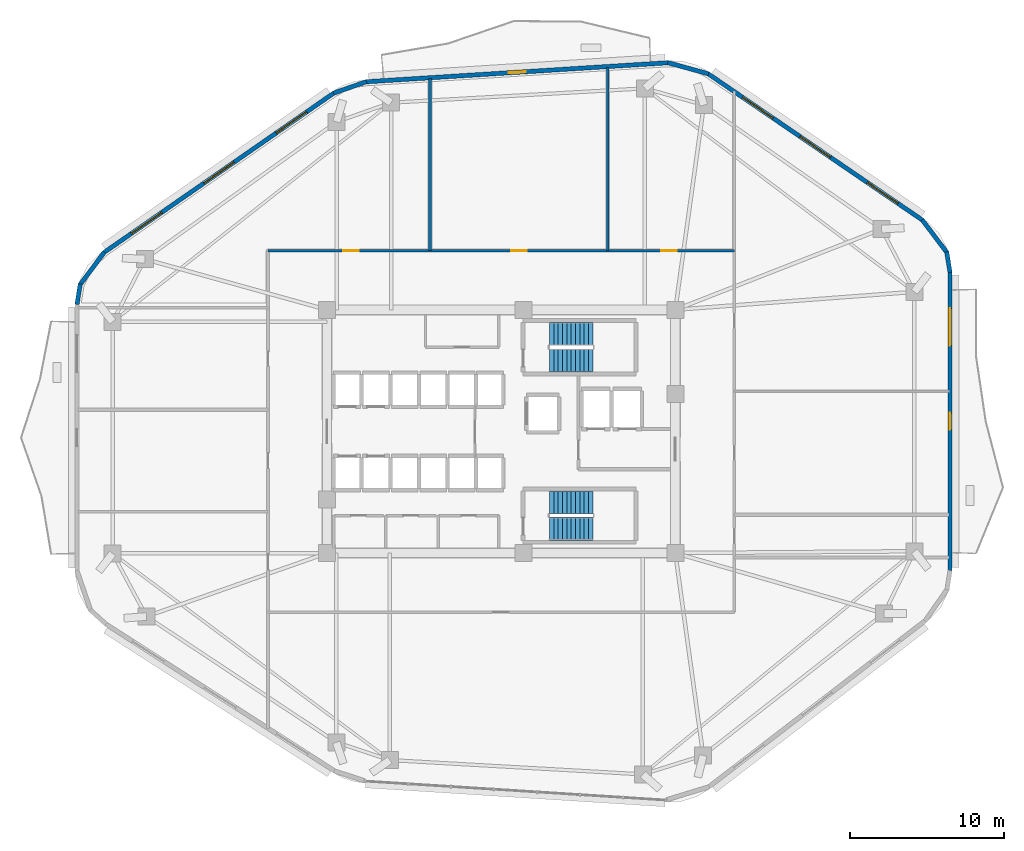
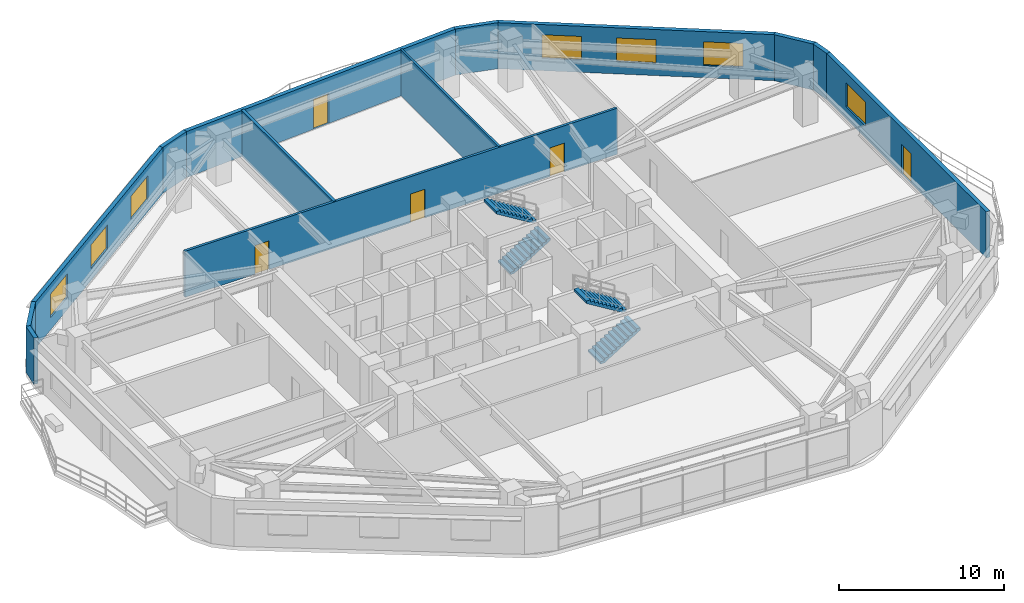
# One storey, part 9 of 12: 13 walls, 7 windows, 5 doors, 4 stair flights, 12 openings, 2 elements without a shape of their own.
"""IFC4 building model written with IfcOpenShell, lengths in metres."""

import ifcopenshell
import ifcopenshell.guid

model = None  # the IFC model being written
_history = None  # IfcOwnerHistory: only IFC2X3 demands one
_inside = {}  # id of a spatial element -> (the spatial element, [elements in it])
_under = {}  # id of a project, library or spatial element -> (it, [spatial elements below it])
_declared = {}  # id of a project -> (the project, [libraries it declares])
_typed = {}  # id of a type object -> (the type object, [elements of that type])
_made_of = {}  # id of a material, layer set ... -> (it, [elements and type objects made of it])


def new_model(schema):
    """Start an empty IFC model of exactly this schema.

    Asked for "IFC4X3", IfcOpenShell would pick the latest addendum, in which some entities
    have other attributes; the version numbers below select the first issue.
    IFC2X3 requires an IfcOwnerHistory on every rooted entity: one is made here for all.
    """
    global model, _history
    if schema == "IFC4X3":
        model = ifcopenshell.file(schema_version=(4, 3, 0, 0))
    else:
        model = ifcopenshell.file(schema=schema)
    _inside.clear()
    _under.clear()
    _declared.clear()
    _typed.clear()
    _made_of.clear()
    _history = None
    if model.schema == "IFC2X3":
        org = make("IfcOrganization", Name="unknown")
        user = make(
            "IfcPersonAndOrganization",
            ThePerson=make("IfcPerson", FamilyName="unknown"),
            TheOrganization=org,
        )
        app = make(
            "IfcApplication",
            ApplicationDeveloper=org,
            Version="unknown",
            ApplicationFullName="unknown",
            ApplicationIdentifier="unknown",
        )
        _history = make(
            "IfcOwnerHistory",
            OwningUser=user,
            OwningApplication=app,
            ChangeAction="ADDED",
            CreationDate=0,
        )
    return model


def make(cls, **values):
    """One entity of the class cls with the attributes given. An attribute that is None is left unset."""
    return model.create_entity(
        cls, **{name: value for name, value in values.items() if value is not None}
    )


def rooted(cls, **values):
    """An entity with a GlobalId (a new one), such as an element, a storey or a relation."""
    return make(cls, GlobalId=ifcopenshell.guid.new(), OwnerHistory=_history, **values)


def si_unit(unit_type, name, prefix=None):
    """IfcSIUnit, for example si_unit("LENGTHUNIT", "METRE", prefix="MILLI")."""
    return make("IfcSIUnit", UnitType=unit_type, Prefix=prefix, Name=name)


def assignment(units):
    """IfcUnitAssignment: the units of a project."""
    return None if units is None else make("IfcUnitAssignment", Units=units)


def point(xyz):
    """IfcCartesianPoint."""
    return None if xyz is None else make("IfcCartesianPoint", Coordinates=xyz)


def direction(xyz):
    """IfcDirection."""
    return None if xyz is None else make("IfcDirection", DirectionRatios=xyz)


def frame(location, z_axis=None, x_axis=None):
    """IfcAxis2Placement3D, a coordinate frame: its origin and axes. An axis left out is left unset."""
    return make(
        "IfcAxis2Placement3D",
        Location=point(location),
        Axis=direction(z_axis),
        RefDirection=direction(x_axis),
    )


def frame_2d(location, x_axis=None):
    """IfcAxis2Placement2D, a coordinate frame in the plane: its origin and x axis."""
    return make(
        "IfcAxis2Placement2D", Location=point(location), RefDirection=direction(x_axis)
    )


def origin():
    """The frame at (0, 0, 0) with its axes left unset."""
    return frame((0.0, 0.0, 0.0))


def place(relative_to, where):
    """IfcLocalPlacement: puts the frame where relative to a parent placement (None: the world)."""
    return make(
        "IfcLocalPlacement", PlacementRelTo=relative_to, RelativePlacement=where
    )


def context(
    kind, dimensions, precision=None, world=None, true_north=None, identifier=None
):
    """IfcGeometricRepresentationContext, for example the 3D "Model" context."""
    return make(
        "IfcGeometricRepresentationContext",
        ContextIdentifier=identifier,
        ContextType=kind,
        CoordinateSpaceDimension=dimensions,
        Precision=precision,
        WorldCoordinateSystem=world,
        TrueNorth=true_north,
    )


def subcontext(parent, identifier, kind, view, scale=None):
    """IfcGeometricRepresentationSubContext, for example "Body" below "Model"."""
    return make(
        "IfcGeometricRepresentationSubContext",
        ContextIdentifier=identifier,
        ContextType=kind,
        ParentContext=parent,
        TargetScale=scale,
        TargetView=view,
    )


def project(units=None, contexts=None):
    """IfcProject with its units and contexts."""
    return rooted(
        "IfcProject",
        Name="project",
        RepresentationContexts=contexts,
        UnitsInContext=assignment(units),
    )


def spatial(cls, under=None, at=None, **own):
    """A site, building, storey or space (cls), placed at a placement, below another one or the project."""
    s = rooted(cls, ObjectPlacement=at, **own)
    if under is not None:
        _under.setdefault(under.id(), (under, []))[1].append(s)
    return s


def polyline(points):
    """IfcPolyline through the points."""
    return make("IfcPolyline", Points=[point(p) for p in points])


def profile(cls, at=None, kind="AREA", **sizes):
    """A parametric profile (cls). Its sizes go by their IFC names, for example OverallWidth=200.0."""
    return make(cls, ProfileType=kind, Position=at, **sizes)


def rectangle(**sizes):
    """IfcRectangleProfileDef."""
    return profile("IfcRectangleProfileDef", **sizes)


def outline(outer, holes=None, kind="AREA"):
    """IfcArbitraryClosedProfileDef: a profile drawn as a closed curve; with holes, ...WithVoids."""
    if holes is None:
        return make("IfcArbitraryClosedProfileDef", ProfileType=kind, OuterCurve=outer)
    return make(
        "IfcArbitraryProfileDefWithVoids",
        ProfileType=kind,
        OuterCurve=outer,
        InnerCurves=holes,
    )


def extrude(swept, where, along, depth):
    """IfcExtrudedAreaSolid: the profile swept, set in the frame where, extruded along a direction by depth."""
    return make(
        "IfcExtrudedAreaSolid",
        SweptArea=swept,
        Position=where,
        ExtrudedDirection=direction(along),
        Depth=depth,
    )


def shape(context_of_items, identifier, shape_type, items):
    """IfcShapeRepresentation: the items that make up one representation, for example the "Body"."""
    return make(
        "IfcShapeRepresentation",
        ContextOfItems=context_of_items,
        RepresentationIdentifier=identifier,
        RepresentationType=shape_type,
        Items=items,
    )


def material(Name=None, Category=None):
    """IfcMaterial."""
    return make("IfcMaterial", Name=Name, Category=Category)


def layer(
    of_material, thickness, ventilated=None, Name=None, Category=None, Priority=None
):
    """IfcMaterialLayer: one layer of a wall or slab, of a material (None: an air gap)."""
    return make(
        "IfcMaterialLayer",
        Material=of_material,
        LayerThickness=thickness,
        IsVentilated=ventilated,
        Name=Name,
        Category=Category,
        Priority=Priority,
    )


def layer_set(layers, Name=None):
    """IfcMaterialLayerSet."""
    return make("IfcMaterialLayerSet", MaterialLayers=layers, LayerSetName=Name)


def made_of(thing, what):
    """Note that an element or type object is made of a material, layer set ...; save() writes the relation."""
    if what is not None:
        _made_of.setdefault(what.id(), (what, []))[1].append(thing)
    return thing


def type_object(cls, material=None, **own):
    """A type object (cls), such as IfcWallType, which elements share."""
    return made_of(rooted(cls, **own), material)


def element(
    cls,
    number,
    at=None,
    inside=None,
    cuts=None,
    type_object=None,
    material=None,
    context=None,
    identifier="Body",
    shape_type=None,
    held_by="IfcProductDefinitionShape",
    body=None,
    shapes=None,
    **own,
):
    """One element of the class cls, such as IfcWall. Its Tag is "e" and its number.

    at: its placement. inside: the storey or other place that contains it. cuts: it is an
    opening in that element (IfcRelVoidsElement). A single representation is given by context,
    identifier, shape_type and body (its items); several are given by shapes. held_by: the class
    of the entity that holds the representations. save() writes the other relations.
    """
    e = rooted(cls, Tag="e%d" % number, ObjectPlacement=at, **own)
    if body is not None:
        shapes = [shape(context, identifier, shape_type, body)]
    if shapes is not None:
        e.Representation = make(held_by, Representations=shapes)
    if inside is not None:
        _inside.setdefault(inside.id(), (inside, []))[1].append(e)
    if cuts is not None:
        rooted(
            "IfcRelVoidsElement", RelatingBuildingElement=cuts, RelatedOpeningElement=e
        )
    if type_object is not None:
        _typed.setdefault(type_object.id(), (type_object, []))[1].append(e)
    return made_of(e, material)


def fill(opening, filler):
    """IfcRelFillsElement: the door or window that sits in an opening."""
    return rooted(
        "IfcRelFillsElement",
        RelatingOpeningElement=opening,
        RelatedBuildingElement=filler,
    )


def aggregate(whole, parts):
    """IfcRelAggregates: a whole, such as a stair, and the parts it consists of."""
    return rooted("IfcRelAggregates", RelatingObject=whole, RelatedObjects=parts)


def save(model, path):
    """Write the relations noted so far, then the file.

    IfcRelAggregates (storeys below a building ...), IfcRelContainedInSpatialStructure (elements
    in a storey), IfcRelDefinesByType, IfcRelAssociatesMaterial and IfcRelDeclares: one each for
    every whole, place, type object, material and project.
    """
    for whole, parts in _under.values():
        aggregate(whole, parts)
    for where, things in _inside.values():
        rooted(
            "IfcRelContainedInSpatialStructure",
            RelatedElements=things,
            RelatingStructure=where,
        )
    for kind, things in _typed.values():
        rooted("IfcRelDefinesByType", RelatedObjects=things, RelatingType=kind)
    for what, things in _made_of.values():
        rooted("IfcRelAssociatesMaterial", RelatedObjects=things, RelatingMaterial=what)
    for by, libraries in _declared.values():
        rooted("IfcRelDeclares", RelatingContext=by, RelatedDefinitions=libraries)
    model.write(path)


model = new_model("IFC4")

# Units and contexts
model_context = context("Model", 3, precision=1e-05, world=origin(), true_north=direction((0.0, 1.0)))
body_context = subcontext(model_context, "Body", "Model", "MODEL_VIEW")
ifc_project = project(units=[si_unit("LENGTHUNIT", "METRE"), si_unit("AREAUNIT", "SQUARE_METRE"), si_unit("VOLUMEUNIT", "CUBIC_METRE"), si_unit("PLANEANGLEUNIT", "RADIAN"), si_unit("MASSUNIT", "GRAM", prefix="KILO")], contexts=[model_context])

# Site, building, storey
site_placement = place(None, origin())
site = spatial("IfcSite", under=ifc_project, at=site_placement, CompositionType="ELEMENT")
building_placement = place(site_placement, origin())
building = spatial("IfcBuilding", under=site, at=building_placement, Name="Zulverin Broadcast Headquarters", CompositionType="ELEMENT")
storey_placement = place(building_placement, frame((0.0, 0.0, 116.199951171875)))
storey = spatial("IfcBuildingStorey", under=building, at=storey_placement, Name="L29", CompositionType="ELEMENT", Elevation=116.199951171875)

# Wall
ifc_material_1 = material(Name="Acoustic drywall steel stud", Category="steel")
ifc_layer_1 = layer(ifc_material_1, 0.199951171875, Name="Acoustic drywall steel stud", Category="steel")
ifc_layer_set_1 = layer_set([ifc_layer_1], Name="Acoustic drywall steel stud")
wall_type_1 = type_object("IfcWallType", Name="WL-ACOU-200", PredefinedType="PARTITIONING", material=ifc_layer_set_1)
wall_1_placement = place(storey_placement, frame((32.39990234375, 36.90087890625, 0.0), z_axis=(0.0, 0.0, 1.0), x_axis=(0.0, 1.0, 0.0)))
element("IfcWall", 1, at=wall_1_placement, inside=storey, type_object=wall_type_1, Name="L29 Room Partition Wall RP-03", PredefinedType="PARTITIONING", context=body_context, shape_type="SweptSolid", body=[
    extrude(rectangle(XDim=11.130615234375, YDim=0.199951171875, at=frame_2d((5.5654296875, 0.0))), origin(), (0.0, 0.0, 1.0), 3.400146484375),
])

# Wall, openings, door, window
ifc_material_2 = material(Name="Insulated pale-metal clad concrete spandrel C40/50", Category="concrete")
ifc_layer_2 = layer(ifc_material_2, 0.280029296875, Name="Insulated pale-metal clad concrete spandrel C40/50", Category="concrete")
ifc_layer_set_2 = layer_set([ifc_layer_2], Name="Insulated pale-metal clad concrete spandrel C40/50")
wall_type_2 = type_object("IfcWallType", Name="WL-EXT-280", PredefinedType="STANDARD", material=ifc_layer_set_2)
wall_2_placement = place(storey_placement, frame((66.06005859375, 16.183349609375, 0.0), z_axis=(0.0, 0.0, 1.0), x_axis=(0.0, 1.0, 0.0)))
wall_2 = element("IfcWall", 2, at=wall_2_placement, inside=storey, type_object=wall_type_2, Name="L29 Pale-Metal Clad Spandrel Wall 3", PredefinedType="STANDARD", context=body_context, shape_type="SweptSolid", body=[
    extrude(rectangle(XDim=19.3310546875, YDim=0.280029296875, at=frame_2d((9.66552734375, 0.0))), origin(), (0.0, 0.0, 1.0), 3.400146484375),
])
opening_1_placement = place(wall_2_placement, frame((9.115478515625, 0.0, 0.0)))
opening_1 = element("IfcOpeningElement", 3, at=opening_1_placement, cuts=wall_2, Name="Opening D-L29-TR3", PredefinedType="OPENING", context=body_context, shape_type="SweptSolid", body=[
    extrude(rectangle(XDim=1.10009765625, YDim=2.199951171875, at=frame_2d((0.550048828125, 1.10009765625))), frame((0.0, 0.14990234375, 0.0), z_axis=(0.0, -1.0, 0.0), x_axis=(1.0, 0.0, 0.0)), (0.0, 0.0, 1.0), 0.300048828125),
])
opening_2_placement = place(wall_2_placement, frame((14.575927734375, 0.0, 0.89990234375)))
opening_2 = element("IfcOpeningElement", 4, at=opening_2_placement, cuts=wall_2, Name="Opening W-L29-E31", PredefinedType="OPENING", context=body_context, shape_type="SweptSolid", body=[
    extrude(rectangle(XDim=2.39990234375, YDim=1.75, at=frame_2d((1.199951171875, 0.875))), frame((0.0, 0.14990234375, 0.0), z_axis=(0.0, -1.0, 0.0), x_axis=(1.0, 0.0, 0.0)), (0.0, 0.0, 1.0), 0.300048828125),
])
ifc_material_3 = material(Name="Thermally broken aluminium glazed", Category="aluminium")
door_type_1 = type_object("IfcDoorType", Name="DR-TERR-1100", OperationType="SINGLE_SWING_RIGHT", PredefinedType="DOOR", material=ifc_material_3)
door_1_placement = place(opening_1_placement, origin())
door_1 = element("IfcDoor", 5, at=door_1_placement, inside=storey, type_object=door_type_1, Name="L29 Planted Terrace Glazed Access Door 3", OperationType="SINGLE_SWING_RIGHT", OverallHeight=2.199951171875, OverallWidth=1.10009765625, PredefinedType="DOOR", context=body_context, shape_type="SweptSolid", body=[
    extrude(rectangle(XDim=1.10009765625, YDim=2.199951171875, at=frame_2d((0.550048828125, 1.10009765625))), frame((0.0, 0.02490234375, 0.0), z_axis=(0.0, -1.0, 0.0), x_axis=(1.0, 0.0, 0.0)), (0.0, 0.0, 1.0), 0.050048828125),
])
fill(opening_1, door_1)
ifc_material_4 = material(Name="Pale anodized aluminium frame with solar-control low-E double glazing", Category="aluminium")
window_type = type_object("IfcWindowType", Name="WIN-RIB-2400", PartitioningType="SINGLE_PANEL", PredefinedType="WINDOW", material=ifc_material_4)
window_1_placement = place(opening_2_placement, origin())
window_1 = element("IfcWindow", 6, at=window_1_placement, inside=storey, type_object=window_type, Name="L29 Ribbon Glazing Window 3 1", OverallHeight=1.75, OverallWidth=2.39990234375, PartitioningType="SINGLE_PANEL", PredefinedType="WINDOW", context=body_context, shape_type="SweptSolid", body=[
    extrude(rectangle(XDim=2.39990234375, YDim=1.75, at=frame_2d((1.199951171875, 0.875))), frame((0.0, 0.030029296875, 0.0), z_axis=(0.0, -1.0, 0.0), x_axis=(1.0, 0.0, 0.0)), (0.0, 0.0, 1.0), 0.06005859375),
])
fill(opening_2, window_1)

# Wall, openings, windows
wall_3_placement = place(storey_placement, frame((64.289794921875, 38.8671875, 0.0), z_axis=(0.0, 0.0, 1.0), x_axis=(-0.825755550159, 0.564028165416, 0.0)))
wall_3 = element("IfcWall", 7, at=wall_3_placement, inside=storey, type_object=wall_type_2, Name="L29 Pale-Metal Clad Spandrel Wall 4", PredefinedType="STANDARD", context=body_context, shape_type="SweptSolid", body=[
    extrude(rectangle(XDim=16.848388671875, YDim=0.280029296875, at=frame_2d((8.42431640625, 0.0))), origin(), (0.0, 0.0, 1.0), 3.400146484375),
])
opening_3_placement = place(wall_3_placement, frame((1.94140625, 0.0, 0.89990234375)))
opening_3 = element("IfcOpeningElement", 8, at=opening_3_placement, cuts=wall_3, Name="Opening W-L29-E41", PredefinedType="OPENING", context=body_context, shape_type="SweptSolid", body=[
    extrude(rectangle(XDim=2.39990234375, YDim=1.75, at=frame_2d((1.199951171875, 0.875))), frame((0.0, 0.14990234375, 0.0), z_axis=(0.0, -1.0, 0.0), x_axis=(1.0, 0.0, 0.0)), (0.0, 0.0, 1.0), 0.300048828125),
])
opening_4_placement = place(wall_3_placement, frame((7.22412109375, 0.0, 0.89990234375)))
opening_4 = element("IfcOpeningElement", 9, at=opening_4_placement, cuts=wall_3, Name="Opening W-L29-E42", PredefinedType="OPENING", context=body_context, shape_type="SweptSolid", body=[
    extrude(rectangle(XDim=2.39990234375, YDim=1.75, at=frame_2d((1.199951171875, 0.875))), frame((0.0, 0.14990234375, 0.0), z_axis=(0.0, -1.0, 0.0), x_axis=(1.0, 0.0, 0.0)), (0.0, 0.0, 1.0), 0.300048828125),
])
opening_5_placement = place(wall_3_placement, frame((11.726806640625, 0.0, 0.89990234375)))
opening_5 = element("IfcOpeningElement", 10, at=opening_5_placement, cuts=wall_3, Name="Opening W-L29-E43", PredefinedType="OPENING", context=body_context, shape_type="SweptSolid", body=[
    extrude(rectangle(XDim=2.39990234375, YDim=1.75, at=frame_2d((1.199951171875, 0.875))), frame((0.0, 0.14990234375, 0.0), z_axis=(0.0, -1.0, 0.0), x_axis=(1.0, 0.0, 0.0)), (0.0, 0.0, 1.0), 0.300048828125),
])
window_2_placement = place(opening_3_placement, origin())
window_2 = element("IfcWindow", 11, at=window_2_placement, inside=storey, type_object=window_type, Name="L29 Ribbon Glazing Window 4 1", OverallHeight=1.75, OverallWidth=2.39990234375, PartitioningType="SINGLE_PANEL", PredefinedType="WINDOW", context=body_context, shape_type="SweptSolid", body=[
    extrude(rectangle(XDim=2.39990234375, YDim=1.75, at=frame_2d((1.199951171875, 0.875))), frame((0.0, 0.030029296875, 0.0), z_axis=(0.0, -1.0, 0.0), x_axis=(1.0, 0.0, 0.0)), (0.0, 0.0, 1.0), 0.06005859375),
])
fill(opening_3, window_2)
window_3_placement = place(opening_4_placement, origin())
window_3 = element("IfcWindow", 12, at=window_3_placement, inside=storey, type_object=window_type, Name="L29 Ribbon Glazing Window 4 2", OverallHeight=1.75, OverallWidth=2.39990234375, PartitioningType="SINGLE_PANEL", PredefinedType="WINDOW", context=body_context, shape_type="SweptSolid", body=[
    extrude(rectangle(XDim=2.39990234375, YDim=1.75, at=frame_2d((1.199951171875, 0.875))), frame((0.0, 0.030029296875, 0.0), z_axis=(0.0, -1.0, 0.0), x_axis=(1.0, 0.0, 0.0)), (0.0, 0.0, 1.0), 0.06005859375),
])
fill(opening_4, window_3)
window_4_placement = place(opening_5_placement, origin())
window_4 = element("IfcWindow", 13, at=window_4_placement, inside=storey, type_object=window_type, Name="L29 Ribbon Glazing Window 4 3", OverallHeight=1.75, OverallWidth=2.39990234375, PartitioningType="SINGLE_PANEL", PredefinedType="WINDOW", context=body_context, shape_type="SweptSolid", body=[
    extrude(rectangle(XDim=2.39990234375, YDim=1.75, at=frame_2d((1.199951171875, 0.875))), frame((0.0, 0.030029296875, 0.0), z_axis=(0.0, -1.0, 0.0), x_axis=(1.0, 0.0, 0.0)), (0.0, 0.0, 1.0), 0.06005859375),
])
fill(opening_5, window_4)

# Wall, opening, door
wall_4_placement = place(storey_placement, frame((47.831787109375, 49.0693359375, 0.0), z_axis=(0.0, 0.0, 1.0), x_axis=(-0.998017725054, -0.062933460723, 0.0)))
wall_4 = element("IfcWall", 14, at=wall_4_placement, inside=storey, type_object=wall_type_2, Name="L29 Pale-Metal Clad Spandrel Wall 5", PredefinedType="STANDARD", context=body_context, shape_type="SweptSolid", body=[
    extrude(rectangle(XDim=19.62939453125, YDim=0.280029296875, at=frame_2d((9.814697265625, 0.0))), origin(), (0.0, 0.0, 1.0), 3.400146484375),
])
opening_6_placement = place(wall_4_placement, frame((9.264892578125, 0.0, 0.0)))
opening_6 = element("IfcOpeningElement", 15, at=opening_6_placement, cuts=wall_4, Name="Opening D-L29-TR5", PredefinedType="OPENING", context=body_context, shape_type="SweptSolid", body=[
    extrude(rectangle(XDim=1.10009765625, YDim=2.199951171875, at=frame_2d((0.550048828125, 1.10009765625))), frame((0.0, 0.14990234375, 0.0), z_axis=(0.0, -1.0, 0.0), x_axis=(1.0, 0.0, 0.0)), (0.0, 0.0, 1.0), 0.300048828125),
])
door_2_placement = place(opening_6_placement, origin())
door_2 = element("IfcDoor", 16, at=door_2_placement, inside=storey, type_object=door_type_1, Name="L29 Planted Terrace Glazed Access Door 5", OperationType="SINGLE_SWING_RIGHT", OverallHeight=2.199951171875, OverallWidth=1.10009765625, PredefinedType="DOOR", context=body_context, shape_type="SweptSolid", body=[
    extrude(rectangle(XDim=1.10009765625, YDim=2.199951171875, at=frame_2d((0.550048828125, 1.10009765625))), frame((0.0, 0.02490234375, 0.0), z_axis=(0.0, -1.0, 0.0), x_axis=(1.0, 0.0, 0.0)), (0.0, 0.0, 1.0), 0.050048828125),
])
fill(opening_6, door_2)

# Wall, openings, windows
wall_5_placement = place(storey_placement, frame((26.181884765625, 47.11767578125, 0.0), z_axis=(0.0, 0.0, 1.0), x_axis=(-0.821547956627, -0.570139417127, 0.0)))
wall_5 = element("IfcWall", 17, at=wall_5_placement, inside=storey, type_object=wall_type_2, Name="L29 Pale-Metal Clad Spandrel Wall 6", PredefinedType="STANDARD", context=body_context, shape_type="SweptSolid", body=[
    extrude(rectangle(XDim=18.13232421875, YDim=0.280029296875, at=frame_2d((9.066162109375, 0.0))), origin(), (0.0, 0.0, 1.0), 3.400146484375),
])
opening_7_placement = place(wall_5_placement, frame((2.155517578125, 0.0, 0.89990234375)))
opening_7 = element("IfcOpeningElement", 18, at=opening_7_placement, cuts=wall_5, Name="Opening W-L29-E61", PredefinedType="OPENING", context=body_context, shape_type="SweptSolid", body=[
    extrude(rectangle(XDim=2.39990234375, YDim=1.75, at=frame_2d((1.199951171875, 0.875))), frame((0.0, 0.14990234375, 0.0), z_axis=(0.0, -1.0, 0.0), x_axis=(1.0, 0.0, 0.0)), (0.0, 0.0, 1.0), 0.300048828125),
])
opening_8_placement = place(wall_5_placement, frame((7.8662109375, 0.0, 0.89990234375)))
opening_8 = element("IfcOpeningElement", 19, at=opening_8_placement, cuts=wall_5, Name="Opening W-L29-E62", PredefinedType="OPENING", context=body_context, shape_type="SweptSolid", body=[
    extrude(rectangle(XDim=2.39990234375, YDim=1.75, at=frame_2d((1.199951171875, 0.875))), frame((0.0, 0.14990234375, 0.0), z_axis=(0.0, -1.0, 0.0), x_axis=(1.0, 0.0, 0.0)), (0.0, 0.0, 1.0), 0.300048828125),
])
opening_9_placement = place(wall_5_placement, frame((13.576904296875, 0.0, 0.89990234375)))
opening_9 = element("IfcOpeningElement", 20, at=opening_9_placement, cuts=wall_5, Name="Opening W-L29-E63", PredefinedType="OPENING", context=body_context, shape_type="SweptSolid", body=[
    extrude(rectangle(XDim=2.39990234375, YDim=1.75, at=frame_2d((1.199951171875, 0.875))), frame((0.0, 0.14990234375, 0.0), z_axis=(0.0, -1.0, 0.0), x_axis=(1.0, 0.0, 0.0)), (0.0, 0.0, 1.0), 0.300048828125),
])
window_5_placement = place(opening_7_placement, origin())
window_5 = element("IfcWindow", 21, at=window_5_placement, inside=storey, type_object=window_type, Name="L29 Ribbon Glazing Window 6 1", OverallHeight=1.75, OverallWidth=2.39990234375, PartitioningType="SINGLE_PANEL", PredefinedType="WINDOW", context=body_context, shape_type="SweptSolid", body=[
    extrude(rectangle(XDim=2.39990234375, YDim=1.75, at=frame_2d((1.199951171875, 0.875))), frame((0.0, 0.030029296875, 0.0), z_axis=(0.0, -1.0, 0.0), x_axis=(1.0, 0.0, 0.0)), (0.0, 0.0, 1.0), 0.06005859375),
])
fill(opening_7, window_5)
window_6_placement = place(opening_8_placement, origin())
window_6 = element("IfcWindow", 22, at=window_6_placement, inside=storey, type_object=window_type, Name="L29 Ribbon Glazing Window 6 2", OverallHeight=1.75, OverallWidth=2.39990234375, PartitioningType="SINGLE_PANEL", PredefinedType="WINDOW", context=body_context, shape_type="SweptSolid", body=[
    extrude(rectangle(XDim=2.39990234375, YDim=1.75, at=frame_2d((1.199951171875, 0.875))), frame((0.0, 0.030029296875, 0.0), z_axis=(0.0, -1.0, 0.0), x_axis=(1.0, 0.0, 0.0)), (0.0, 0.0, 1.0), 0.06005859375),
])
fill(opening_8, window_6)
window_7_placement = place(opening_9_placement, origin())
window_7 = element("IfcWindow", 23, at=window_7_placement, inside=storey, type_object=window_type, Name="L29 Ribbon Glazing Window 6 3", OverallHeight=1.75, OverallWidth=2.39990234375, PartitioningType="SINGLE_PANEL", PredefinedType="WINDOW", context=body_context, shape_type="SweptSolid", body=[
    extrude(rectangle(XDim=2.39990234375, YDim=1.75, at=frame_2d((1.199951171875, 0.875))), frame((0.0, 0.030029296875, 0.0), z_axis=(0.0, -1.0, 0.0), x_axis=(1.0, 0.0, 0.0)), (0.0, 0.0, 1.0), 0.06005859375),
])
fill(opening_9, window_7)

# Walls
wall_6_placement = place(storey_placement, frame((66.061767578125, 35.491943359375, 0.0), z_axis=(0.0, 0.0, 1.0), x_axis=(-0.161182073582, 0.986924687682, 0.0)))
element("IfcWall", 24, at=wall_6_placement, inside=storey, type_object=wall_type_2, Name="L29 Wind-Shaped Corner Spandrel Wall 3-1", PredefinedType="STANDARD", context=body_context, shape_type="SweptSolid", body=[
    extrude(rectangle(XDim=1.354248046875, YDim=0.280029296875, at=frame_2d((0.67724609375, 0.0))), origin(), (0.0, 0.0, 1.0), 3.400146484375),
])
wall_7_placement = place(storey_placement, frame((65.8701171875, 36.7666015625, 0.0), z_axis=(0.0, 0.0, 1.0), x_axis=(-0.603370463754, 0.797461023166, 0.0)))
element("IfcWall", 25, at=wall_7_placement, inside=storey, type_object=wall_type_2, Name="L29 Wind-Shaped Corner Spandrel Wall 3-2", PredefinedType="STANDARD", context=body_context, shape_type="SweptSolid", body=[
    extrude(rectangle(XDim=2.6728515625, YDim=0.280029296875, at=frame_2d((1.33642578125, 0.0))), origin(), (0.0, 0.0, 1.0), 3.400146484375),
])
wall_8_placement = place(storey_placement, frame((50.419189453125, 48.3505859375, 0.0), z_axis=(0.0, 0.0, 1.0), x_axis=(-0.964254516967, 0.264977784933, 0.0)))
element("IfcWall", 26, at=wall_8_placement, inside=storey, type_object=wall_type_2, Name="L29 Wind-Shaped Corner Spandrel Wall 4-1", PredefinedType="STANDARD", context=body_context, shape_type="SweptSolid", body=[
    extrude(rectangle(XDim=2.73095703125, YDim=0.280029296875, at=frame_2d((1.365478515625, 0.0))), origin(), (0.0, 0.0, 1.0), 3.400146484375),
])
wall_9_placement = place(storey_placement, frame((28.2783203125, 47.841552734375, 0.0), z_axis=(0.0, 0.0, 1.0), x_axis=(-0.9444559001, -0.328638179106, 0.0)))
element("IfcWall", 27, at=wall_9_placement, inside=storey, type_object=wall_type_2, Name="L29 Wind-Shaped Corner Spandrel Wall 5-1", PredefinedType="STANDARD", context=body_context, shape_type="SweptSolid", body=[
    extrude(rectangle(XDim=2.25537109375, YDim=0.280029296875, at=frame_2d((1.127685546875, 0.0))), origin(), (0.0, 0.0, 1.0), 3.400146484375),
])
wall_10_placement = place(storey_placement, frame((11.317626953125, 36.81103515625, 0.0), z_axis=(0.0, 0.0, 1.0), x_axis=(-0.599455152629, -0.800408345775, 0.0)))
element("IfcWall", 28, at=wall_10_placement, inside=storey, type_object=wall_type_2, Name="L29 Wind-Shaped Corner Spandrel Wall 6-1", PredefinedType="STANDARD", context=body_context, shape_type="SweptSolid", body=[
    extrude(rectangle(XDim=2.6533203125, YDim=0.280029296875, at=frame_2d((1.32666015625, 0.0))), origin(), (0.0, 0.0, 1.0), 3.400146484375),
])
wall_11_placement = place(storey_placement, frame((9.753173828125, 34.748779296875, 0.0), z_axis=(0.0, 0.0, 1.0), x_axis=(-0.160037671962, -0.987110907423, 0.0)))
element("IfcWall", 29, at=wall_11_placement, inside=storey, type_object=wall_type_2, Name="L29 Wind-Shaped Corner Spandrel Wall 6-2", PredefinedType="STANDARD", context=body_context, shape_type="SweptSolid", body=[
    extrude(rectangle(XDim=1.343994140625, YDim=0.280029296875, at=frame_2d((0.671875, 0.0))), origin(), (0.0, 0.0, 1.0), 3.400146484375),
])
ifc_material_5 = material(Name="Fire-rated gypsum stud partition", Category="gypsum")
ifc_layer_3 = layer(ifc_material_5, 0.14990234375, Name="Fire-rated gypsum stud partition", Category="gypsum")
ifc_layer_set_3 = layer_set([ifc_layer_3], Name="Fire-rated gypsum stud partition")
wall_type_3 = type_object("IfcWallType", Name="WL-PART-150", PredefinedType="PARTITIONING", material=ifc_layer_set_3)
wall_12_placement = place(storey_placement, frame((43.89990234375, 36.89990234375, 0.0), z_axis=(0.0, 0.0, 1.0), x_axis=(0.0, 1.0, 0.0)))
element("IfcWall", 30, at=wall_12_placement, inside=storey, type_object=wall_type_3, Name="L29 Room Partition Wall RP-02", PredefinedType="PARTITIONING", context=body_context, shape_type="SweptSolid", body=[
    extrude(rectangle(XDim=11.856689453125, YDim=0.14990234375, at=frame_2d((5.92822265625, 0.0))), origin(), (0.0, 0.0, 1.0), 3.400146484375),
])

# Wall, openings, doors
ifc_material_6 = material(Name="Fire-rated acoustic stud wall", Category="gypsum")
ifc_layer_4 = layer(ifc_material_6, 0.175048828125, Name="Fire-rated acoustic stud wall", Category="gypsum")
ifc_layer_set_4 = layer_set([ifc_layer_4], Name="Fire-rated acoustic stud wall")
wall_type_4 = type_object("IfcWallType", Name="WL-PART-175", PredefinedType="PARTITIONING", material=ifc_layer_set_4)
wall_13_placement = place(storey_placement, frame((21.89990234375, 36.89990234375, 0.0), z_axis=(0.0, 0.0, 1.0), x_axis=(1.0, 0.0, 0.0)))
wall_13 = element("IfcWall", 31, at=wall_13_placement, inside=storey, type_object=wall_type_4, Name="L29 Gallery Partition Wall CG-12", PredefinedType="PARTITIONING", context=body_context, shape_type="SweptSolid", body=[
    extrude(rectangle(XDim=30.2001953125, YDim=0.175048828125, at=frame_2d((15.10009765625, 0.0))), origin(), (0.0, 0.0, 1.0), 3.400146484375),
])
opening_10_placement = place(wall_13_placement, frame((4.8701171875, 0.0, 0.0)))
opening_10 = element("IfcOpeningElement", 32, at=opening_10_placement, cuts=wall_13, Name="Opening D-L29-01", PredefinedType="OPENING", context=body_context, shape_type="SweptSolid", body=[
    extrude(rectangle(XDim=1.0, YDim=2.1201171875, at=frame_2d((0.5, 1.06005859375))), frame((0.0, 0.097412109375, 0.0), z_axis=(0.0, -1.0, 0.0), x_axis=(1.0, 0.0, 0.0)), (0.0, 0.0, 1.0), 0.195068359375),
])
opening_11_placement = place(wall_13_placement, frame((15.75, 0.0, 0.0)))
opening_11 = element("IfcOpeningElement", 33, at=opening_11_placement, cuts=wall_13, Name="Opening D-L29-02", PredefinedType="OPENING", context=body_context, shape_type="SweptSolid", body=[
    extrude(rectangle(XDim=1.0, YDim=2.1201171875, at=frame_2d((0.5, 1.06005859375))), frame((0.0, 0.097412109375, 0.0), z_axis=(0.0, -1.0, 0.0), x_axis=(1.0, 0.0, 0.0)), (0.0, 0.0, 1.0), 0.195068359375),
])
opening_12_placement = place(wall_13_placement, frame((25.47998046875, 0.0, 0.0)))
opening_12 = element("IfcOpeningElement", 34, at=opening_12_placement, cuts=wall_13, Name="Opening D-L29-03", PredefinedType="OPENING", context=body_context, shape_type="SweptSolid", body=[
    extrude(rectangle(XDim=1.0, YDim=2.1201171875, at=frame_2d((0.5, 1.06005859375))), frame((0.0, 0.097412109375, 0.0), z_axis=(0.0, -1.0, 0.0), x_axis=(1.0, 0.0, 0.0)), (0.0, 0.0, 1.0), 0.195068359375),
])
ifc_material_7 = material(Name="Hardwood veneer acoustic leaf", Category="wood")
door_type_2 = type_object("IfcDoorType", Name="DR-OFF-1000", OperationType="SINGLE_SWING_LEFT", PredefinedType="DOOR", material=ifc_material_7)
door_3_placement = place(opening_10_placement, origin())
door_3 = element("IfcDoor", 35, at=door_3_placement, inside=storey, type_object=door_type_2, Name="L29 Correspondent Office Door", OperationType="SINGLE_SWING_RIGHT", OverallHeight=2.1201171875, OverallWidth=1.0, PredefinedType="DOOR", context=body_context, shape_type="SweptSolid", body=[
    extrude(rectangle(XDim=1.0, YDim=2.1201171875, at=frame_2d((0.5, 1.06005859375))), frame((0.0, 0.02490234375, 0.0), z_axis=(0.0, -1.0, 0.0), x_axis=(1.0, 0.0, 0.0)), (0.0, 0.0, 1.0), 0.050048828125),
])
fill(opening_10, door_3)
door_4_placement = place(opening_11_placement, origin())
door_4 = element("IfcDoor", 36, at=door_4_placement, inside=storey, type_object=door_type_2, Name="L29 Producer Office Door", OperationType="SINGLE_SWING_LEFT", OverallHeight=2.1201171875, OverallWidth=1.0, PredefinedType="DOOR", context=body_context, shape_type="SweptSolid", body=[
    extrude(rectangle(XDim=1.0, YDim=2.1201171875, at=frame_2d((0.5, 1.06005859375))), frame((0.0, 0.02490234375, 0.0), z_axis=(0.0, -1.0, 0.0), x_axis=(1.0, 0.0, 0.0)), (0.0, 0.0, 1.0), 0.050048828125),
])
fill(opening_11, door_4)
door_5_placement = place(opening_12_placement, origin())
door_5 = element("IfcDoor", 37, at=door_5_placement, inside=storey, type_object=door_type_2, Name="L29 Assignment Office Door", OperationType="SINGLE_SWING_RIGHT", OverallHeight=2.1201171875, OverallWidth=1.0, PredefinedType="DOOR", context=body_context, shape_type="SweptSolid", body=[
    extrude(rectangle(XDim=1.0, YDim=2.1201171875, at=frame_2d((0.5, 1.06005859375))), frame((0.0, 0.02490234375, 0.0), z_axis=(0.0, -1.0, 0.0), x_axis=(1.0, 0.0, 0.0)), (0.0, 0.0, 1.0), 0.050048828125),
])
fill(opening_12, door_5)

# Stair, stair flights
ifc_material_8 = material(Name="Concrete C40/50", Category="concrete")
stair_type = type_object("IfcStairType", Name="ST-CORE-1500", PredefinedType="HALF_TURN_STAIR", material=ifc_material_8)
stair_1_placement = place(storey_placement, origin())
stair_1 = element("IfcStair", 38, at=stair_1_placement, inside=storey, type_object=stair_type, Name="L29 Core Exit Stair ST-1", PredefinedType="HALF_TURN_STAIR")
stair_flight_type = type_object("IfcStairFlightType", Name="SF-CORE-1500", PredefinedType="STRAIGHT", material=ifc_material_8)
stair_flight_1_placement = place(storey_placement, frame((40.1298828125, 29.800048828125, 0.0), z_axis=(0.0, 0.0, 1.0), x_axis=(1.0, 0.0, 0.0)))
stair_flight_1 = element("IfcStairFlight", 39, at=stair_flight_1_placement, type_object=stair_flight_type, Name="ST-1 flight 1", NumberOfRisers=11, NumberOfTreads=10, PredefinedType="STRAIGHT", RiserHeight=0.172727273, TreadLength=0.28, context=body_context, shape_type="SweptSolid", body=[
    extrude(outline(polyline([(0.0, 0.0), (0.0, 0.172607421875), (0.280029296875, 0.172607421875), (0.280029296875, 0.345458984375), (0.56005859375, 0.345458984375), (0.56005859375, 0.51806640625), (0.840087890625, 0.51806640625), (0.840087890625, 0.69091796875), (1.1201171875, 0.69091796875), (1.1201171875, 0.863525390625), (1.39990234375, 0.863525390625), (1.39990234375, 1.036376953125), (1.679931640625, 1.036376953125), (1.679931640625, 1.208984375), (1.9599609375, 1.208984375), (1.9599609375, 1.3818359375), (2.239990234375, 1.3818359375), (2.239990234375, 1.554443359375), (2.52001953125, 1.554443359375), (2.52001953125, 1.727294921875), (2.800048828125, 1.727294921875), (2.800048828125, 1.89990234375), (2.800048828125, 1.551025390625), (0.285400390625, 0.0), (0.0, 0.0)])), frame((0.0, 0.75, 0.0), z_axis=(0.0, -1.0, 0.0), x_axis=(1.0, 0.0, 0.0)), (0.0, 0.0, 1.0), 1.5),
])
stair_flight_2_placement = place(storey_placement, frame((42.929931640625, 31.5, 1.900146484375), z_axis=(0.0, 0.0, 1.0), x_axis=(-1.0, 0.0, 0.0)))
stair_flight_2 = element("IfcStairFlight", 40, at=stair_flight_2_placement, type_object=stair_flight_type, Name="ST-1 flight 2", NumberOfRisers=11, NumberOfTreads=10, PredefinedType="STRAIGHT", RiserHeight=0.172727273, TreadLength=0.28, context=body_context, shape_type="SweptSolid", body=[
    extrude(outline(polyline([(0.0, 0.0), (0.0, 0.172607421875), (0.280029296875, 0.172607421875), (0.280029296875, 0.345458984375), (0.56005859375, 0.345458984375), (0.56005859375, 0.51806640625), (0.840087890625, 0.51806640625), (0.840087890625, 0.69091796875), (1.1201171875, 0.69091796875), (1.1201171875, 0.863525390625), (1.39990234375, 0.863525390625), (1.39990234375, 1.036376953125), (1.679931640625, 1.036376953125), (1.679931640625, 1.208984375), (1.9599609375, 1.208984375), (1.9599609375, 1.3818359375), (2.239990234375, 1.3818359375), (2.239990234375, 1.554443359375), (2.52001953125, 1.554443359375), (2.52001953125, 1.727294921875), (2.800048828125, 1.727294921875), (2.800048828125, 1.89990234375), (2.800048828125, 1.551025390625), (0.285400390625, 0.0), (0.0, 0.0)])), frame((0.0, 0.75, 0.0), z_axis=(0.0, -1.0, 0.0), x_axis=(1.0, 0.0, 0.0)), (0.0, 0.0, 1.0), 1.5),
])
aggregate(stair_1, [stair_flight_1, stair_flight_2])

stair_2_placement = place(storey_placement, origin())
stair_2 = element("IfcStair", 41, at=stair_2_placement, inside=storey, type_object=stair_type, Name="L29 Core Exit Stair ST-2", PredefinedType="HALF_TURN_STAIR")
stair_flight_3_placement = place(storey_placement, frame((40.1298828125, 18.89990234375, 0.0), z_axis=(0.0, 0.0, 1.0), x_axis=(1.0, 0.0, 0.0)))
stair_flight_3 = element("IfcStairFlight", 42, at=stair_flight_3_placement, type_object=stair_flight_type, Name="ST-2 flight 1", NumberOfRisers=11, NumberOfTreads=10, PredefinedType="STRAIGHT", RiserHeight=0.172727273, TreadLength=0.28, context=body_context, shape_type="SweptSolid", body=[
    extrude(outline(polyline([(0.0, 0.0), (0.0, 0.172607421875), (0.280029296875, 0.172607421875), (0.280029296875, 0.345458984375), (0.56005859375, 0.345458984375), (0.56005859375, 0.51806640625), (0.840087890625, 0.51806640625), (0.840087890625, 0.69091796875), (1.1201171875, 0.69091796875), (1.1201171875, 0.863525390625), (1.39990234375, 0.863525390625), (1.39990234375, 1.036376953125), (1.679931640625, 1.036376953125), (1.679931640625, 1.208984375), (1.9599609375, 1.208984375), (1.9599609375, 1.3818359375), (2.239990234375, 1.3818359375), (2.239990234375, 1.554443359375), (2.52001953125, 1.554443359375), (2.52001953125, 1.727294921875), (2.800048828125, 1.727294921875), (2.800048828125, 1.89990234375), (2.800048828125, 1.551025390625), (0.285400390625, 0.0), (0.0, 0.0)])), frame((0.0, 0.75, 0.0), z_axis=(0.0, -1.0, 0.0), x_axis=(1.0, 0.0, 0.0)), (0.0, 0.0, 1.0), 1.5),
])
stair_flight_4_placement = place(storey_placement, frame((42.929931640625, 20.60009765625, 1.900146484375), z_axis=(0.0, 0.0, 1.0), x_axis=(-1.0, 0.0, 0.0)))
stair_flight_4 = element("IfcStairFlight", 43, at=stair_flight_4_placement, type_object=stair_flight_type, Name="ST-2 flight 2", NumberOfRisers=11, NumberOfTreads=10, PredefinedType="STRAIGHT", RiserHeight=0.172727273, TreadLength=0.28, context=body_context, shape_type="SweptSolid", body=[
    extrude(outline(polyline([(0.0, 0.0), (0.0, 0.172607421875), (0.280029296875, 0.172607421875), (0.280029296875, 0.345458984375), (0.56005859375, 0.345458984375), (0.56005859375, 0.51806640625), (0.840087890625, 0.51806640625), (0.840087890625, 0.69091796875), (1.1201171875, 0.69091796875), (1.1201171875, 0.863525390625), (1.39990234375, 0.863525390625), (1.39990234375, 1.036376953125), (1.679931640625, 1.036376953125), (1.679931640625, 1.208984375), (1.9599609375, 1.208984375), (1.9599609375, 1.3818359375), (2.239990234375, 1.3818359375), (2.239990234375, 1.554443359375), (2.52001953125, 1.554443359375), (2.52001953125, 1.727294921875), (2.800048828125, 1.727294921875), (2.800048828125, 1.89990234375), (2.800048828125, 1.551025390625), (0.285400390625, 0.0), (0.0, 0.0)])), frame((0.0, 0.75, 0.0), z_axis=(0.0, -1.0, 0.0), x_axis=(1.0, 0.0, 0.0)), (0.0, 0.0, 1.0), 1.5),
])
aggregate(stair_2, [stair_flight_3, stair_flight_4])

save(model, "model.ifc")
